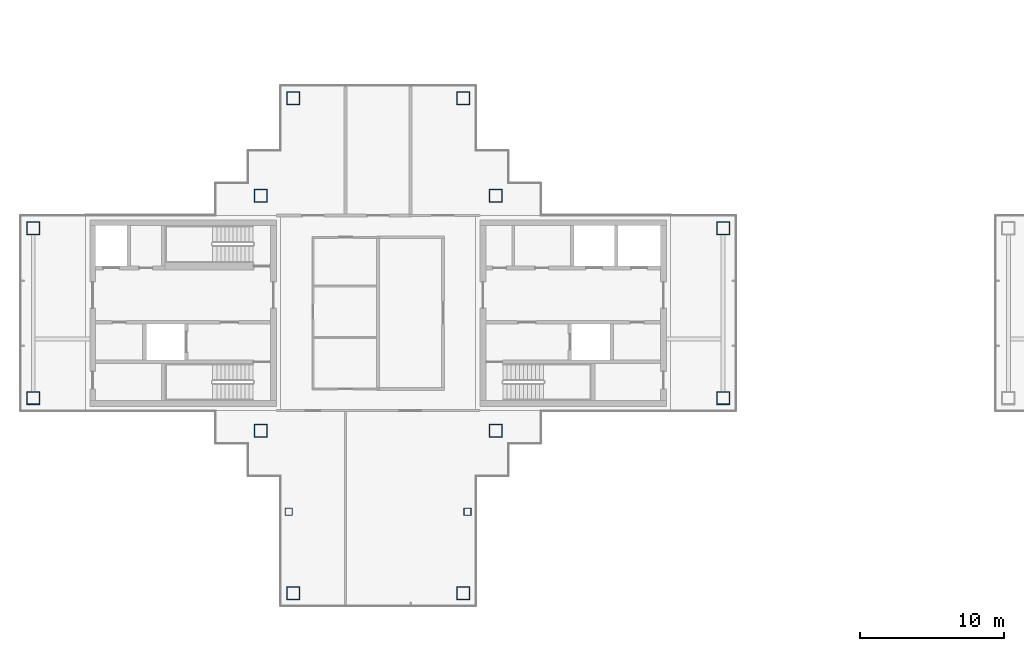
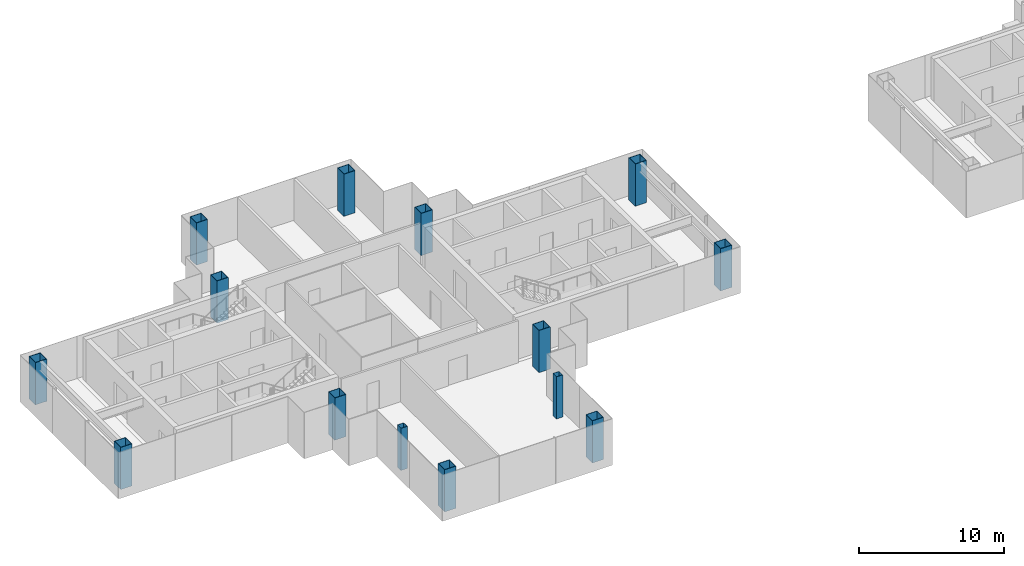
# One storey, part 1 of 16: 14 columns.
"""IFC4 building model written with IfcOpenShell, lengths in metres."""

from ifc_helpers import new_model, si_unit, direction, frame, origin, origin_2d, place, context, subcontext, project, spatial, hollow_rectangle, extrude, material, material_profile, profile_set, type_object, element, save


model = new_model("IFC4")

# Units and contexts
model_context = context("Model", 3, precision=1e-05, world=origin(), true_north=direction((0.0, 1.0)))
body_context = subcontext(model_context, "Body", "Model", "MODEL_VIEW")
ifc_project = project(units=[si_unit("LENGTHUNIT", "METRE"), si_unit("AREAUNIT", "SQUARE_METRE"), si_unit("VOLUMEUNIT", "CUBIC_METRE"), si_unit("PLANEANGLEUNIT", "RADIAN"), si_unit("MASSUNIT", "GRAM", prefix="KILO")], contexts=[model_context])

# Site, building, storey
site_placement = place(None, origin())
site = spatial("IfcSite", under=ifc_project, at=site_placement, CompositionType="ELEMENT")
building_placement = place(site_placement, origin())
building = spatial("IfcBuilding", under=site, at=building_placement, Name="Shamsa Quay Exchange Towers", CompositionType="ELEMENT")
storey_placement = place(building_placement, frame((0.0, 0.0, 246.0)))
storey = spatial("IfcBuildingStorey", under=building, at=storey_placement, Name="L59", CompositionType="ELEMENT", Elevation=246.0)

# Columns
ifc_material_1 = material(Name="Concrete-filled steel tube S355 / C60/75", Category="concrete")
ifc_material_profile_1 = material_profile(ifc_material_1, hollow_rectangle(XDim=0.5, YDim=0.5, WallThickness=0.01611328125, at=origin_2d()), Name="CFT 500x500x16")
ifc_profile_set_1 = profile_set([ifc_material_profile_1], Name="Concrete-filled steel tube S355 / C60/75")
column_type_1 = type_object("IfcColumnType", Name="Column CFT 500x500x16", PredefinedType="COLUMN", material=ifc_profile_set_1)
for number, where, name in (
    (1, (-39.9375, -13.75, 0.0), "Perimeter column T1-CP19"),
    (2, (-27.5625, -13.75, 0.0), "Perimeter column T1-CP22"),
):
    element("IfcColumn", number, at=place(storey_placement, frame(where)), inside=storey, type_object=column_type_1, Name=name, PredefinedType="COLUMN", context=body_context, shape_type="SweptSolid", body=[
        extrude(hollow_rectangle(XDim=0.5, YDim=0.5, WallThickness=0.01611328125, at=origin_2d()), origin(), (0.0, 0.0, 1.0), 3.550048828125),
    ])
ifc_material_2 = material(Name="Concrete-filled steel tube S355 / C80/95", Category="concrete")
ifc_material_profile_2 = material_profile(ifc_material_2, hollow_rectangle(XDim=0.89990234375, YDim=0.89990234375, WallThickness=0.035888671875, at=origin_2d()), Name="CFT 900x900x36")
ifc_profile_set_2 = profile_set([ifc_material_profile_2], Name="Concrete-filled steel tube S355 / C80/95")
column_type_2 = type_object("IfcColumnType", Name="Column CFT 900x900x36", PredefinedType="COLUMN", material=ifc_profile_set_2)
for number, where, name in (
    (3, (-25.625, 8.125, 0.0), "Mega column T1-CM01"),
    (4, (-25.625, -8.125, 0.0), "Mega column T1-CM02"),
    (5, (-41.875, 8.125, 0.0), "Mega column T1-CM03"),
    (6, (-41.875, -8.125, 0.0), "Mega column T1-CM04"),
    (7, (-9.875, -5.875, 0.0), "Mega column T1-CM05"),
    (8, (-9.875, 5.875, 0.0), "Mega column T1-CM07"),
    (9, (-57.625, -5.875, 0.0), "Mega column T1-CM09"),
    (10, (-57.625, 5.875, 0.0), "Mega column T1-CM11"),
    (11, (-39.625, 14.875, 0.0), "Mega column T1-CM13"),
    (12, (-27.875, 14.875, 0.0), "Mega column T1-CM16"),
    (13, (-39.625, -19.375, 0.0), "Mega column T1-CM20"),
    (14, (-27.875, -19.375, 0.0), "Mega column T1-CM23"),
):
    element("IfcColumn", number, at=place(storey_placement, frame(where)), inside=storey, type_object=column_type_2, Name=name, PredefinedType="COLUMN", context=body_context, shape_type="SweptSolid", body=[
        extrude(hollow_rectangle(XDim=0.89990234375, YDim=0.89990234375, WallThickness=0.035888671875, at=origin_2d()), origin(), (0.0, 0.0, 1.0), 3.550048828125),
    ])

save(model, "model.ifc")
